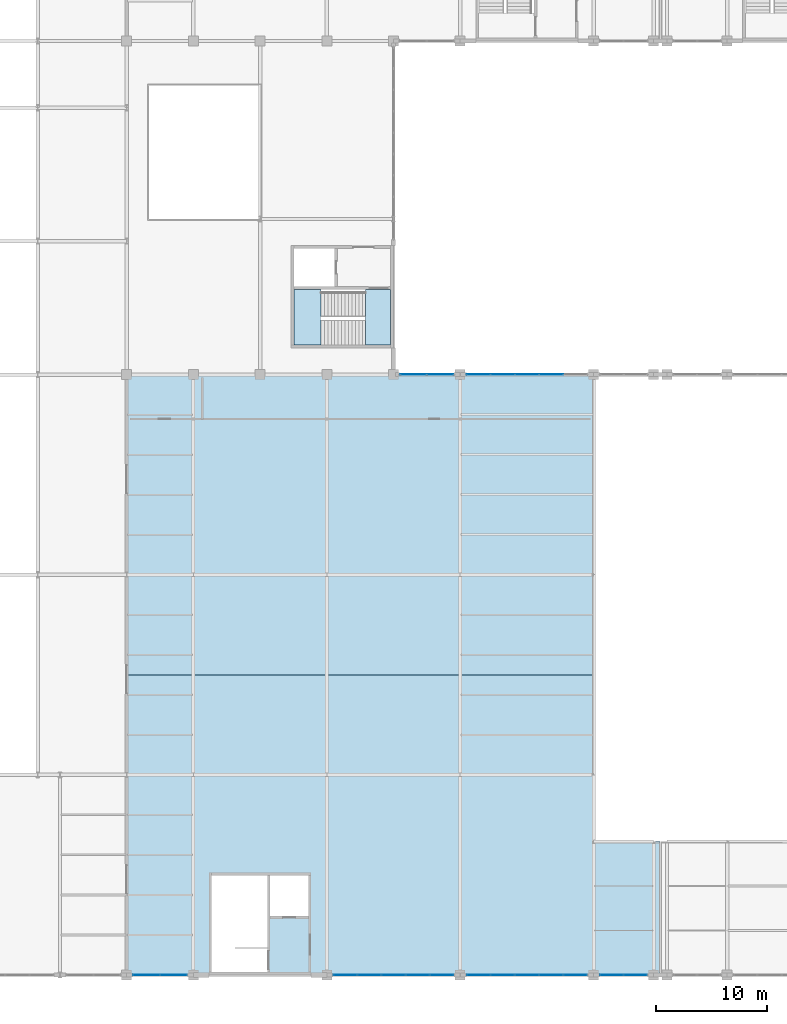
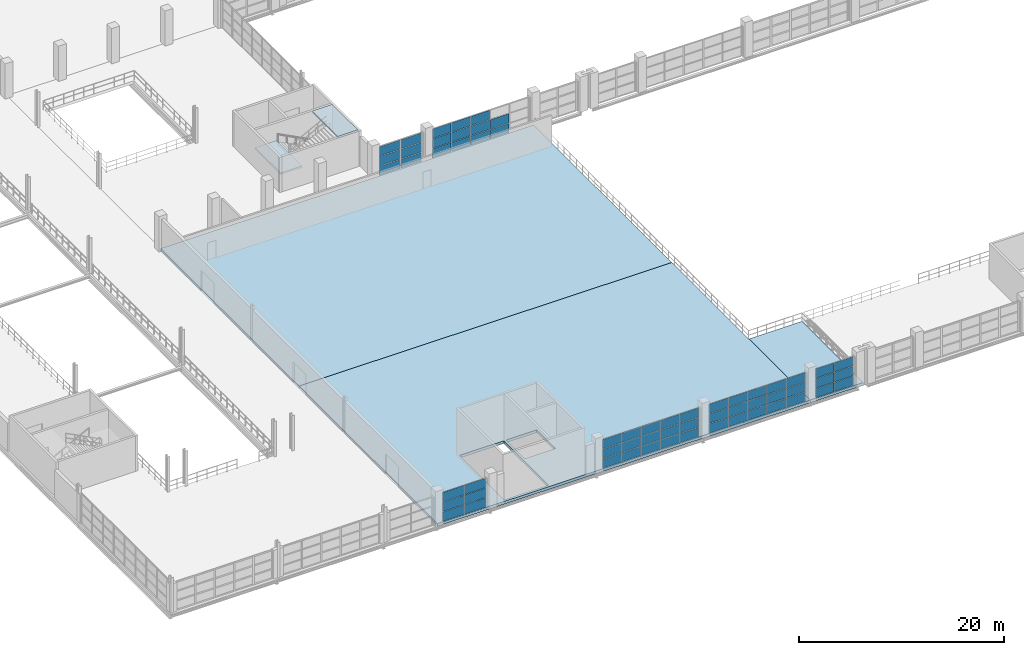
# One storey, part 127 of 158: 59 plates, 5 slabs, 7 elements without a shape of their own.
"""IFC4 building model written with IfcOpenShell, lengths in metres."""

from ifc_helpers import new_model, si_unit, direction, frame, origin, origin_2d, place, context, subcontext, project, spatial, polyline, rectangle, outline, extrude, material, layer, layer_set, type_object, element, aggregate, save


model = new_model("IFC4")

# Units and contexts
model_context = context("Model", 3, precision=1e-05, world=origin(), true_north=direction((0.0, 1.0)))
body_context = subcontext(model_context, "Body", "Model", "MODEL_VIEW")
ifc_project = project(units=[si_unit("LENGTHUNIT", "METRE"), si_unit("AREAUNIT", "SQUARE_METRE"), si_unit("VOLUMEUNIT", "CUBIC_METRE"), si_unit("PLANEANGLEUNIT", "RADIAN"), si_unit("MASSUNIT", "GRAM", prefix="KILO")], contexts=[model_context])

# Site, building, storey
site_placement = place(None, origin())
site = spatial("IfcSite", under=ifc_project, at=site_placement, CompositionType="ELEMENT")
building_placement = place(site_placement, origin())
building = spatial("IfcBuilding", under=site, at=building_placement, Name="Zilviju Railside Exhibition Hall", CompositionType="ELEMENT")
storey_placement = place(building_placement, frame((0.0, 0.0, 4.199951171875)))
storey = spatial("IfcBuildingStorey", under=building, at=storey_placement, Name="L02", CompositionType="ELEMENT", Elevation=4.199951171875)

# Curtain wall, plates
ifc_material_1 = material(Name="Thermally broken aluminium-steel triple-glazed curtain wall", Category="steel")
ifc_layer_1 = layer(ifc_material_1, 0.179931640625)
ifc_layer_set_1 = layer_set([ifc_layer_1], Name="Thermally broken aluminium-steel triple-glazed curtain wall")
curtain_wall_type_1 = type_object("IfcCurtainWallType", Name="CW-BAY-09", PredefinedType="USERDEFINED", material=ifc_layer_set_1)
curtain_wall_1_placement = place(storey_placement, origin())
curtain_wall_1 = element("IfcCurtainWall", 1, at=curtain_wall_1_placement, inside=storey, type_object=curtain_wall_type_1, Name="South Hall Facade Curtain Wall L02 (120..125)", ObjectType="GLAZED CURTAIN WALL", PredefinedType="USERDEFINED")
ifc_material_2 = material(Name="Laminated acoustic double-glazed porch unit", Category="glass")
ifc_layer_2 = layer(ifc_material_2, 0.031982421875)
ifc_layer_set_2 = layer_set([ifc_layer_2], Name="Laminated acoustic double-glazed porch unit")
plate_type_1 = type_object("IfcPlateType", Name="CWP-IGU-32", PredefinedType="CURTAIN_PANEL", material=ifc_layer_set_2)
plate_1_placement = place(storey_placement, frame((123.760009765625, 0.0, 0.06005859375), z_axis=(0.0, 0.0, 1.0), x_axis=(-1.0, 0.0, 0.0)))
plate_1 = element("IfcPlate", 2, at=plate_1_placement, type_object=plate_type_1, Name="CW-09 panel 1.1", PredefinedType="CURTAIN_PANEL", context=body_context, shape_type="SweptSolid", body=[
    extrude(rectangle(XDim=2.06005859375, YDim=0.031982421875, at=origin_2d()), origin(), (0.0, 0.0, 1.0), 1.096923828125),
])
plate_2_placement = place(storey_placement, frame((123.760009765625, 0.0, 1.217041015625), z_axis=(0.0, 0.0, 1.0), x_axis=(-1.0, 0.0, 0.0)))
plate_2 = element("IfcPlate", 3, at=plate_2_placement, type_object=plate_type_1, Name="CW-09 panel 1.2", PredefinedType="CURTAIN_PANEL", context=body_context, shape_type="SweptSolid", body=[
    extrude(rectangle(XDim=2.06005859375, YDim=0.031982421875, at=origin_2d()), origin(), (0.0, 0.0, 1.0), 1.1259765625),
])
plate_3_placement = place(storey_placement, frame((123.760009765625, 0.0, 2.4033203125), z_axis=(0.0, 0.0, 1.0), x_axis=(-1.0, 0.0, 0.0)))
plate_3 = element("IfcPlate", 4, at=plate_3_placement, type_object=plate_type_1, Name="CW-09 panel 1.3", PredefinedType="CURTAIN_PANEL", context=body_context, shape_type="SweptSolid", body=[
    extrude(rectangle(XDim=2.06005859375, YDim=0.031982421875, at=origin_2d()), origin(), (0.0, 0.0, 1.0), 1.096923828125),
])
plate_4_placement = place(storey_placement, frame((121.639892578125, 0.0, 0.06005859375), z_axis=(0.0, 0.0, 1.0), x_axis=(-1.0, 0.0, 0.0)))
plate_4 = element("IfcPlate", 5, at=plate_4_placement, type_object=plate_type_1, Name="CW-09 panel 2.1", PredefinedType="CURTAIN_PANEL", context=body_context, shape_type="SweptSolid", body=[
    extrude(rectangle(XDim=2.06005859375, YDim=0.031982421875, at=origin_2d()), origin(), (0.0, 0.0, 1.0), 1.096923828125),
])
plate_5_placement = place(storey_placement, frame((121.639892578125, 0.0, 1.217041015625), z_axis=(0.0, 0.0, 1.0), x_axis=(-1.0, 0.0, 0.0)))
plate_5 = element("IfcPlate", 6, at=plate_5_placement, type_object=plate_type_1, Name="CW-09 panel 2.2", PredefinedType="CURTAIN_PANEL", context=body_context, shape_type="SweptSolid", body=[
    extrude(rectangle(XDim=2.06005859375, YDim=0.031982421875, at=origin_2d()), origin(), (0.0, 0.0, 1.0), 1.1259765625),
])
plate_6_placement = place(storey_placement, frame((121.639892578125, 0.0, 2.4033203125), z_axis=(0.0, 0.0, 1.0), x_axis=(-1.0, 0.0, 0.0)))
plate_6 = element("IfcPlate", 7, at=plate_6_placement, type_object=plate_type_1, Name="CW-09 panel 2.3", PredefinedType="CURTAIN_PANEL", context=body_context, shape_type="SweptSolid", body=[
    extrude(rectangle(XDim=2.06005859375, YDim=0.031982421875, at=origin_2d()), origin(), (0.0, 0.0, 1.0), 1.096923828125),
])
aggregate(curtain_wall_1, [plate_1, plate_2, plate_3, plate_4, plate_5, plate_6])

ifc_layer_3 = layer(ifc_material_1, 0.179931640625)
ifc_layer_set_3 = layer_set([ifc_layer_3], Name="Thermally broken aluminium-steel triple-glazed curtain wall")
curtain_wall_type_2 = type_object("IfcCurtainWallType", Name="CW-BAY-08", PredefinedType="USERDEFINED", material=ifc_layer_set_3)
curtain_wall_2_placement = place(storey_placement, origin())
curtain_wall_2 = element("IfcCurtainWall", 8, at=curtain_wall_2_placement, inside=storey, type_object=curtain_wall_type_2, Name="South Hall Facade Curtain Wall L02 (108..120)", ObjectType="GLAZED CURTAIN WALL", PredefinedType="USERDEFINED")
ifc_material_3 = material(Name="Triple-glazed solar-control glass unit", Category="glass")
ifc_layer_4 = layer(ifc_material_3, 0.0380859375)
ifc_layer_set_4 = layer_set([ifc_layer_4], Name="Triple-glazed solar-control glass unit")
plate_type_2 = type_object("IfcPlateType", Name="CWP-IGU-38", PredefinedType="CURTAIN_PANEL", material=ifc_layer_set_4)
plate_7_placement = place(storey_placement, frame((118.34375, 0.0, 0.06494140625), z_axis=(0.0, 0.0, 1.0), x_axis=(-1.0, 0.0, 0.0)))
plate_7 = element("IfcPlate", 9, at=plate_7_placement, type_object=plate_type_2, Name="CW-08 panel 1.1", PredefinedType="CURTAIN_PANEL", context=body_context, shape_type="SweptSolid", body=[
    extrude(rectangle(XDim=2.08251953125, YDim=0.0380859375, at=origin_2d()), origin(), (0.0, 0.0, 1.0), 1.089599609375),
])
plate_8_placement = place(storey_placement, frame((118.34375, 0.0, 1.219482421875), z_axis=(0.0, 0.0, 1.0), x_axis=(-1.0, 0.0, 0.0)))
plate_8 = element("IfcPlate", 10, at=plate_8_placement, type_object=plate_type_2, Name="CW-08 panel 1.2", PredefinedType="CURTAIN_PANEL", context=body_context, shape_type="SweptSolid", body=[
    extrude(rectangle(XDim=2.08251953125, YDim=0.0380859375, at=origin_2d()), origin(), (0.0, 0.0, 1.0), 1.12109375),
])
plate_9_placement = place(storey_placement, frame((118.34375, 0.0, 2.4052734375), z_axis=(0.0, 0.0, 1.0), x_axis=(-1.0, 0.0, 0.0)))
plate_9 = element("IfcPlate", 11, at=plate_9_placement, type_object=plate_type_2, Name="CW-08 panel 1.3", PredefinedType="CURTAIN_PANEL", context=body_context, shape_type="SweptSolid", body=[
    extrude(rectangle(XDim=2.08251953125, YDim=0.0380859375, at=origin_2d()), origin(), (0.0, 0.0, 1.0), 1.089599609375),
])
plate_10_placement = place(storey_placement, frame((116.179931640625, 0.0, 0.06494140625), z_axis=(0.0, 0.0, 1.0), x_axis=(-1.0, 0.0, 0.0)))
plate_10 = element("IfcPlate", 12, at=plate_10_placement, type_object=plate_type_2, Name="CW-08 panel 2.1", PredefinedType="CURTAIN_PANEL", context=body_context, shape_type="SweptSolid", body=[
    extrude(rectangle(XDim=2.114990234375, YDim=0.0380859375, at=origin_2d()), origin(), (0.0, 0.0, 1.0), 1.089599609375),
])
plate_11_placement = place(storey_placement, frame((116.179931640625, 0.0, 1.219482421875), z_axis=(0.0, 0.0, 1.0), x_axis=(-1.0, 0.0, 0.0)))
plate_11 = element("IfcPlate", 13, at=plate_11_placement, type_object=plate_type_2, Name="CW-08 panel 2.2", PredefinedType="CURTAIN_PANEL", context=body_context, shape_type="SweptSolid", body=[
    extrude(rectangle(XDim=2.114990234375, YDim=0.0380859375, at=origin_2d()), origin(), (0.0, 0.0, 1.0), 1.12109375),
])
plate_12_placement = place(storey_placement, frame((116.179931640625, 0.0, 2.4052734375), z_axis=(0.0, 0.0, 1.0), x_axis=(-1.0, 0.0, 0.0)))
plate_12 = element("IfcPlate", 14, at=plate_12_placement, type_object=plate_type_2, Name="CW-08 panel 2.3", PredefinedType="CURTAIN_PANEL", context=body_context, shape_type="SweptSolid", body=[
    extrude(rectangle(XDim=2.114990234375, YDim=0.0380859375, at=origin_2d()), origin(), (0.0, 0.0, 1.0), 1.089599609375),
])
plate_13_placement = place(storey_placement, frame((114.0, 0.0, 0.06494140625), z_axis=(0.0, 0.0, 1.0), x_axis=(-1.0, 0.0, 0.0)))
plate_13 = element("IfcPlate", 15, at=plate_13_placement, type_object=plate_type_2, Name="CW-08 panel 3.1", PredefinedType="CURTAIN_PANEL", context=body_context, shape_type="SweptSolid", body=[
    extrude(rectangle(XDim=2.114990234375, YDim=0.0380859375, at=origin_2d()), origin(), (0.0, 0.0, 1.0), 1.089599609375),
])
plate_14_placement = place(storey_placement, frame((114.0, 0.0, 1.219482421875), z_axis=(0.0, 0.0, 1.0), x_axis=(-1.0, 0.0, 0.0)))
plate_14 = element("IfcPlate", 16, at=plate_14_placement, type_object=plate_type_2, Name="CW-08 panel 3.2", PredefinedType="CURTAIN_PANEL", context=body_context, shape_type="SweptSolid", body=[
    extrude(rectangle(XDim=2.114990234375, YDim=0.0380859375, at=origin_2d()), origin(), (0.0, 0.0, 1.0), 1.12109375),
])
plate_15_placement = place(storey_placement, frame((114.0, 0.0, 2.4052734375), z_axis=(0.0, 0.0, 1.0), x_axis=(-1.0, 0.0, 0.0)))
plate_15 = element("IfcPlate", 17, at=plate_15_placement, type_object=plate_type_2, Name="CW-08 panel 3.3", PredefinedType="CURTAIN_PANEL", context=body_context, shape_type="SweptSolid", body=[
    extrude(rectangle(XDim=2.114990234375, YDim=0.0380859375, at=origin_2d()), origin(), (0.0, 0.0, 1.0), 1.089599609375),
])
plate_16_placement = place(storey_placement, frame((111.820068359375, 0.0, 0.06494140625), z_axis=(0.0, 0.0, 1.0), x_axis=(-1.0, 0.0, 0.0)))
plate_16 = element("IfcPlate", 18, at=plate_16_placement, type_object=plate_type_2, Name="CW-08 panel 4.1", PredefinedType="CURTAIN_PANEL", context=body_context, shape_type="SweptSolid", body=[
    extrude(rectangle(XDim=2.114990234375, YDim=0.0380859375, at=origin_2d()), origin(), (0.0, 0.0, 1.0), 1.089599609375),
])
plate_17_placement = place(storey_placement, frame((111.820068359375, 0.0, 1.219482421875), z_axis=(0.0, 0.0, 1.0), x_axis=(-1.0, 0.0, 0.0)))
plate_17 = element("IfcPlate", 19, at=plate_17_placement, type_object=plate_type_2, Name="CW-08 panel 4.2", PredefinedType="CURTAIN_PANEL", context=body_context, shape_type="SweptSolid", body=[
    extrude(rectangle(XDim=2.114990234375, YDim=0.0380859375, at=origin_2d()), origin(), (0.0, 0.0, 1.0), 1.12109375),
])
plate_18_placement = place(storey_placement, frame((111.820068359375, 0.0, 2.4052734375), z_axis=(0.0, 0.0, 1.0), x_axis=(-1.0, 0.0, 0.0)))
plate_18 = element("IfcPlate", 20, at=plate_18_placement, type_object=plate_type_2, Name="CW-08 panel 4.3", PredefinedType="CURTAIN_PANEL", context=body_context, shape_type="SweptSolid", body=[
    extrude(rectangle(XDim=2.114990234375, YDim=0.0380859375, at=origin_2d()), origin(), (0.0, 0.0, 1.0), 1.089599609375),
])
plate_19_placement = place(storey_placement, frame((109.65625, 0.0, 0.06494140625), z_axis=(0.0, 0.0, 1.0), x_axis=(-1.0, 0.0, 0.0)))
plate_19 = element("IfcPlate", 21, at=plate_19_placement, type_object=plate_type_2, Name="CW-08 panel 5.1", PredefinedType="CURTAIN_PANEL", context=body_context, shape_type="SweptSolid", body=[
    extrude(rectangle(XDim=2.08251953125, YDim=0.0380859375, at=origin_2d()), origin(), (0.0, 0.0, 1.0), 1.089599609375),
])
plate_20_placement = place(storey_placement, frame((109.65625, 0.0, 1.219482421875), z_axis=(0.0, 0.0, 1.0), x_axis=(-1.0, 0.0, 0.0)))
plate_20 = element("IfcPlate", 22, at=plate_20_placement, type_object=plate_type_2, Name="CW-08 panel 5.2", PredefinedType="CURTAIN_PANEL", context=body_context, shape_type="SweptSolid", body=[
    extrude(rectangle(XDim=2.08251953125, YDim=0.0380859375, at=origin_2d()), origin(), (0.0, 0.0, 1.0), 1.12109375),
])
plate_21_placement = place(storey_placement, frame((109.65625, 0.0, 2.4052734375), z_axis=(0.0, 0.0, 1.0), x_axis=(-1.0, 0.0, 0.0)))
plate_21 = element("IfcPlate", 23, at=plate_21_placement, type_object=plate_type_2, Name="CW-08 panel 5.3", PredefinedType="CURTAIN_PANEL", context=body_context, shape_type="SweptSolid", body=[
    extrude(rectangle(XDim=2.08251953125, YDim=0.0380859375, at=origin_2d()), origin(), (0.0, 0.0, 1.0), 1.089599609375),
])
aggregate(curtain_wall_2, [plate_7, plate_8, plate_9, plate_10, plate_11, plate_12, plate_13, plate_14, plate_15, plate_16, plate_17, plate_18, plate_19, plate_20, plate_21])

ifc_layer_5 = layer(ifc_material_1, 0.179931640625)
ifc_layer_set_5 = layer_set([ifc_layer_5], Name="Thermally broken aluminium-steel triple-glazed curtain wall")
curtain_wall_type_3 = type_object("IfcCurtainWallType", Name="CW-BAY-06", PredefinedType="USERDEFINED", material=ifc_layer_set_5)
curtain_wall_3_placement = place(storey_placement, origin())
curtain_wall_3 = element("IfcCurtainWall", 24, at=curtain_wall_3_placement, inside=storey, type_object=curtain_wall_type_3, Name="South Hall Facade Curtain Wall L02 (78..84)", ObjectType="GLAZED CURTAIN WALL", PredefinedType="USERDEFINED")
ifc_material_4 = material(Name="Triple-glazed low-E argon insulating glass unit", Category="glass")
ifc_layer_6 = layer(ifc_material_4, 0.0439453125)
ifc_layer_set_6 = layer_set([ifc_layer_6], Name="Triple-glazed low-E argon insulating glass unit")
plate_type_3 = type_object("IfcPlateType", Name="CWP-IGU-44", PredefinedType="CURTAIN_PANEL", material=ifc_layer_set_6)
plate_22_placement = place(storey_placement, frame((82.211181640625, 0.0, 0.054931640625), z_axis=(0.0, 0.0, 1.0), x_axis=(-1.0, 0.0, 0.0)))
plate_22 = element("IfcPlate", 25, at=plate_22_placement, type_object=plate_type_3, Name="CW-06 panel 1.1", PredefinedType="CURTAIN_PANEL", context=body_context, shape_type="SweptSolid", body=[
    extrude(rectangle(XDim=2.367431640625, YDim=0.0439453125, at=origin_2d()), origin(), (0.0, 0.0, 1.0), 1.1044921875),
])
plate_23_placement = place(storey_placement, frame((82.211181640625, 0.0, 1.21435546875), z_axis=(0.0, 0.0, 1.0), x_axis=(-1.0, 0.0, 0.0)))
plate_23 = element("IfcPlate", 26, at=plate_23_placement, type_object=plate_type_3, Name="CW-06 panel 1.2", PredefinedType="CURTAIN_PANEL", context=body_context, shape_type="SweptSolid", body=[
    extrude(rectangle(XDim=2.367431640625, YDim=0.0439453125, at=origin_2d()), origin(), (0.0, 0.0, 1.0), 1.131103515625),
])
plate_24_placement = place(storey_placement, frame((82.211181640625, 0.0, 2.400634765625), z_axis=(0.0, 0.0, 1.0), x_axis=(-1.0, 0.0, 0.0)))
plate_24 = element("IfcPlate", 27, at=plate_24_placement, type_object=plate_type_3, Name="CW-06 panel 1.3", PredefinedType="CURTAIN_PANEL", context=body_context, shape_type="SweptSolid", body=[
    extrude(rectangle(XDim=2.367431640625, YDim=0.0439453125, at=origin_2d()), origin(), (0.0, 0.0, 1.0), 1.1044921875),
])
plate_25_placement = place(storey_placement, frame((79.788818359375, 0.0, 0.054931640625), z_axis=(0.0, 0.0, 1.0), x_axis=(-1.0, 0.0, 0.0)))
plate_25 = element("IfcPlate", 28, at=plate_25_placement, type_object=plate_type_3, Name="CW-06 panel 2.1", PredefinedType="CURTAIN_PANEL", context=body_context, shape_type="SweptSolid", body=[
    extrude(rectangle(XDim=2.367431640625, YDim=0.0439453125, at=origin_2d()), origin(), (0.0, 0.0, 1.0), 1.1044921875),
])
plate_26_placement = place(storey_placement, frame((79.788818359375, 0.0, 1.21435546875), z_axis=(0.0, 0.0, 1.0), x_axis=(-1.0, 0.0, 0.0)))
plate_26 = element("IfcPlate", 29, at=plate_26_placement, type_object=plate_type_3, Name="CW-06 panel 2.2", PredefinedType="CURTAIN_PANEL", context=body_context, shape_type="SweptSolid", body=[
    extrude(rectangle(XDim=2.367431640625, YDim=0.0439453125, at=origin_2d()), origin(), (0.0, 0.0, 1.0), 1.131103515625),
])
plate_27_placement = place(storey_placement, frame((79.788818359375, 0.0, 2.400634765625), z_axis=(0.0, 0.0, 1.0), x_axis=(-1.0, 0.0, 0.0)))
plate_27 = element("IfcPlate", 30, at=plate_27_placement, type_object=plate_type_3, Name="CW-06 panel 2.3", PredefinedType="CURTAIN_PANEL", context=body_context, shape_type="SweptSolid", body=[
    extrude(rectangle(XDim=2.367431640625, YDim=0.0439453125, at=origin_2d()), origin(), (0.0, 0.0, 1.0), 1.1044921875),
])
aggregate(curtain_wall_3, [plate_22, plate_23, plate_24, plate_25, plate_26, plate_27])

ifc_layer_7 = layer(ifc_material_1, 0.179931640625)
ifc_layer_set_7 = layer_set([ifc_layer_7], Name="Thermally broken aluminium-steel triple-glazed curtain wall")
curtain_wall_type_4 = type_object("IfcCurtainWallType", Name="CW-BAY-07", PredefinedType="USERDEFINED", material=ifc_layer_set_7)
curtain_wall_4_placement = place(storey_placement, origin())
curtain_wall_4 = element("IfcCurtainWall", 31, at=curtain_wall_4_placement, inside=storey, type_object=curtain_wall_type_4, Name="South Hall Facade Curtain Wall L02 (96..108)", ObjectType="GLAZED CURTAIN WALL", PredefinedType="USERDEFINED")
plate_28_placement = place(storey_placement, frame((106.342529296875, 0.0, 0.070068359375), z_axis=(0.0, 0.0, 1.0), x_axis=(-1.0, 0.0, 0.0)))
plate_28 = element("IfcPlate", 32, at=plate_28_placement, type_object=plate_type_3, Name="CW-07 panel 1.1", PredefinedType="CURTAIN_PANEL", context=body_context, shape_type="SweptSolid", body=[
    extrude(rectangle(XDim=2.074951171875, YDim=0.0439453125, at=origin_2d()), origin(), (0.0, 0.0, 1.0), 1.08203125),
])
plate_29_placement = place(storey_placement, frame((106.342529296875, 0.0, 1.22216796875), z_axis=(0.0, 0.0, 1.0), x_axis=(-1.0, 0.0, 0.0)))
plate_29 = element("IfcPlate", 33, at=plate_29_placement, type_object=plate_type_3, Name="CW-07 panel 1.2", PredefinedType="CURTAIN_PANEL", context=body_context, shape_type="SweptSolid", body=[
    extrude(rectangle(XDim=2.074951171875, YDim=0.0439453125, at=origin_2d()), origin(), (0.0, 0.0, 1.0), 1.115966796875),
])
plate_30_placement = place(storey_placement, frame((106.342529296875, 0.0, 2.407958984375), z_axis=(0.0, 0.0, 1.0), x_axis=(-1.0, 0.0, 0.0)))
plate_30 = element("IfcPlate", 34, at=plate_30_placement, type_object=plate_type_3, Name="CW-07 panel 1.3", PredefinedType="CURTAIN_PANEL", context=body_context, shape_type="SweptSolid", body=[
    extrude(rectangle(XDim=2.074951171875, YDim=0.0439453125, at=origin_2d()), origin(), (0.0, 0.0, 1.0), 1.08203125),
])
plate_31_placement = place(storey_placement, frame((104.179931640625, 0.0, 0.070068359375), z_axis=(0.0, 0.0, 1.0), x_axis=(-1.0, 0.0, 0.0)))
plate_31 = element("IfcPlate", 35, at=plate_31_placement, type_object=plate_type_3, Name="CW-07 panel 2.1", PredefinedType="CURTAIN_PANEL", context=body_context, shape_type="SweptSolid", body=[
    extrude(rectangle(XDim=2.110107421875, YDim=0.0439453125, at=origin_2d()), origin(), (0.0, 0.0, 1.0), 1.08203125),
])
plate_32_placement = place(storey_placement, frame((104.179931640625, 0.0, 1.22216796875), z_axis=(0.0, 0.0, 1.0), x_axis=(-1.0, 0.0, 0.0)))
plate_32 = element("IfcPlate", 36, at=plate_32_placement, type_object=plate_type_3, Name="CW-07 panel 2.2", PredefinedType="CURTAIN_PANEL", context=body_context, shape_type="SweptSolid", body=[
    extrude(rectangle(XDim=2.110107421875, YDim=0.0439453125, at=origin_2d()), origin(), (0.0, 0.0, 1.0), 1.115966796875),
])
plate_33_placement = place(storey_placement, frame((104.179931640625, 0.0, 2.407958984375), z_axis=(0.0, 0.0, 1.0), x_axis=(-1.0, 0.0, 0.0)))
plate_33 = element("IfcPlate", 37, at=plate_33_placement, type_object=plate_type_3, Name="CW-07 panel 2.3", PredefinedType="CURTAIN_PANEL", context=body_context, shape_type="SweptSolid", body=[
    extrude(rectangle(XDim=2.110107421875, YDim=0.0439453125, at=origin_2d()), origin(), (0.0, 0.0, 1.0), 1.08203125),
])
plate_34_placement = place(storey_placement, frame((102.0, 0.0, 0.070068359375), z_axis=(0.0, 0.0, 1.0), x_axis=(-1.0, 0.0, 0.0)))
plate_34 = element("IfcPlate", 38, at=plate_34_placement, type_object=plate_type_3, Name="CW-07 panel 3.1", PredefinedType="CURTAIN_PANEL", context=body_context, shape_type="SweptSolid", body=[
    extrude(rectangle(XDim=2.110107421875, YDim=0.0439453125, at=origin_2d()), origin(), (0.0, 0.0, 1.0), 1.08203125),
])
plate_35_placement = place(storey_placement, frame((102.0, 0.0, 1.22216796875), z_axis=(0.0, 0.0, 1.0), x_axis=(-1.0, 0.0, 0.0)))
plate_35 = element("IfcPlate", 39, at=plate_35_placement, type_object=plate_type_3, Name="CW-07 panel 3.2", PredefinedType="CURTAIN_PANEL", context=body_context, shape_type="SweptSolid", body=[
    extrude(rectangle(XDim=2.110107421875, YDim=0.0439453125, at=origin_2d()), origin(), (0.0, 0.0, 1.0), 1.115966796875),
])
plate_36_placement = place(storey_placement, frame((102.0, 0.0, 2.407958984375), z_axis=(0.0, 0.0, 1.0), x_axis=(-1.0, 0.0, 0.0)))
plate_36 = element("IfcPlate", 40, at=plate_36_placement, type_object=plate_type_3, Name="CW-07 panel 3.3", PredefinedType="CURTAIN_PANEL", context=body_context, shape_type="SweptSolid", body=[
    extrude(rectangle(XDim=2.110107421875, YDim=0.0439453125, at=origin_2d()), origin(), (0.0, 0.0, 1.0), 1.08203125),
])
plate_37_placement = place(storey_placement, frame((99.820068359375, 0.0, 0.070068359375), z_axis=(0.0, 0.0, 1.0), x_axis=(-1.0, 0.0, 0.0)))
plate_37 = element("IfcPlate", 41, at=plate_37_placement, type_object=plate_type_3, Name="CW-07 panel 4.1", PredefinedType="CURTAIN_PANEL", context=body_context, shape_type="SweptSolid", body=[
    extrude(rectangle(XDim=2.110107421875, YDim=0.0439453125, at=origin_2d()), origin(), (0.0, 0.0, 1.0), 1.08203125),
])
plate_38_placement = place(storey_placement, frame((99.820068359375, 0.0, 1.22216796875), z_axis=(0.0, 0.0, 1.0), x_axis=(-1.0, 0.0, 0.0)))
plate_38 = element("IfcPlate", 42, at=plate_38_placement, type_object=plate_type_3, Name="CW-07 panel 4.2", PredefinedType="CURTAIN_PANEL", context=body_context, shape_type="SweptSolid", body=[
    extrude(rectangle(XDim=2.110107421875, YDim=0.0439453125, at=origin_2d()), origin(), (0.0, 0.0, 1.0), 1.115966796875),
])
plate_39_placement = place(storey_placement, frame((99.820068359375, 0.0, 2.407958984375), z_axis=(0.0, 0.0, 1.0), x_axis=(-1.0, 0.0, 0.0)))
plate_39 = element("IfcPlate", 43, at=plate_39_placement, type_object=plate_type_3, Name="CW-07 panel 4.3", PredefinedType="CURTAIN_PANEL", context=body_context, shape_type="SweptSolid", body=[
    extrude(rectangle(XDim=2.110107421875, YDim=0.0439453125, at=origin_2d()), origin(), (0.0, 0.0, 1.0), 1.08203125),
])
plate_40_placement = place(storey_placement, frame((97.657470703125, 0.0, 0.070068359375), z_axis=(0.0, 0.0, 1.0), x_axis=(-1.0, 0.0, 0.0)))
plate_40 = element("IfcPlate", 44, at=plate_40_placement, type_object=plate_type_3, Name="CW-07 panel 5.1", PredefinedType="CURTAIN_PANEL", context=body_context, shape_type="SweptSolid", body=[
    extrude(rectangle(XDim=2.074951171875, YDim=0.0439453125, at=origin_2d()), origin(), (0.0, 0.0, 1.0), 1.08203125),
])
plate_41_placement = place(storey_placement, frame((97.657470703125, 0.0, 1.22216796875), z_axis=(0.0, 0.0, 1.0), x_axis=(-1.0, 0.0, 0.0)))
plate_41 = element("IfcPlate", 45, at=plate_41_placement, type_object=plate_type_3, Name="CW-07 panel 5.2", PredefinedType="CURTAIN_PANEL", context=body_context, shape_type="SweptSolid", body=[
    extrude(rectangle(XDim=2.074951171875, YDim=0.0439453125, at=origin_2d()), origin(), (0.0, 0.0, 1.0), 1.115966796875),
])
plate_42_placement = place(storey_placement, frame((97.657470703125, 0.0, 2.407958984375), z_axis=(0.0, 0.0, 1.0), x_axis=(-1.0, 0.0, 0.0)))
plate_42 = element("IfcPlate", 46, at=plate_42_placement, type_object=plate_type_3, Name="CW-07 panel 5.3", PredefinedType="CURTAIN_PANEL", context=body_context, shape_type="SweptSolid", body=[
    extrude(rectangle(XDim=2.074951171875, YDim=0.0439453125, at=origin_2d()), origin(), (0.0, 0.0, 1.0), 1.08203125),
])
aggregate(curtain_wall_4, [plate_28, plate_29, plate_30, plate_31, plate_32, plate_33, plate_34, plate_35, plate_36, plate_37, plate_38, plate_39, plate_40, plate_41, plate_42])

ifc_layer_8 = layer(ifc_material_1, 0.179931640625)
ifc_layer_set_8 = layer_set([ifc_layer_8], Name="Thermally broken aluminium-steel triple-glazed curtain wall")
curtain_wall_type_5 = type_object("IfcCurtainWallType", Name="CW-BAY-18", PredefinedType="USERDEFINED", material=ifc_layer_set_8)
curtain_wall_5_placement = place(storey_placement, origin())
curtain_wall_5 = element("IfcCurtainWall", 47, at=curtain_wall_5_placement, inside=storey, type_object=curtain_wall_type_5, Name="South Hall Garden Court Curtain Wall L02 (108..120)", ObjectType="GLAZED CURTAIN WALL", PredefinedType="USERDEFINED")
plate_43_placement = place(storey_placement, frame((109.65380859375, 54.0, 0.054931640625), z_axis=(0.0, 0.0, 1.0), x_axis=(1.0, 0.0, 0.0)))
plate_43 = element("IfcPlate", 48, at=plate_43_placement, type_object=plate_type_3, Name="CW-18 panel 1.1", PredefinedType="CURTAIN_PANEL", context=body_context, shape_type="SweptSolid", body=[
    extrude(rectangle(XDim=2.097412109375, YDim=0.0439453125, at=origin_2d()), origin(), (0.0, 0.0, 1.0), 1.1044921875),
])
plate_44_placement = place(storey_placement, frame((109.65380859375, 54.0, 1.21435546875), z_axis=(0.0, 0.0, 1.0), x_axis=(1.0, 0.0, 0.0)))
plate_44 = element("IfcPlate", 49, at=plate_44_placement, type_object=plate_type_3, Name="CW-18 panel 1.2", PredefinedType="CURTAIN_PANEL", context=body_context, shape_type="SweptSolid", body=[
    extrude(rectangle(XDim=2.097412109375, YDim=0.0439453125, at=origin_2d()), origin(), (0.0, 0.0, 1.0), 1.131103515625),
])
plate_45_placement = place(storey_placement, frame((109.65380859375, 54.0, 2.400634765625), z_axis=(0.0, 0.0, 1.0), x_axis=(1.0, 0.0, 0.0)))
plate_45 = element("IfcPlate", 50, at=plate_45_placement, type_object=plate_type_3, Name="CW-18 panel 1.3", PredefinedType="CURTAIN_PANEL", context=body_context, shape_type="SweptSolid", body=[
    extrude(rectangle(XDim=2.097412109375, YDim=0.0439453125, at=origin_2d()), origin(), (0.0, 0.0, 1.0), 1.1044921875),
])
plate_46_placement = place(storey_placement, frame((111.820068359375, 54.0, 0.054931640625), z_axis=(0.0, 0.0, 1.0), x_axis=(1.0, 0.0, 0.0)))
plate_46 = element("IfcPlate", 51, at=plate_46_placement, type_object=plate_type_3, Name="CW-18 panel 2.1", PredefinedType="CURTAIN_PANEL", context=body_context, shape_type="SweptSolid", body=[
    extrude(rectangle(XDim=2.125, YDim=0.0439453125, at=origin_2d()), origin(), (0.0, 0.0, 1.0), 1.1044921875),
])
plate_47_placement = place(storey_placement, frame((111.820068359375, 54.0, 1.21435546875), z_axis=(0.0, 0.0, 1.0), x_axis=(1.0, 0.0, 0.0)))
plate_47 = element("IfcPlate", 52, at=plate_47_placement, type_object=plate_type_3, Name="CW-18 panel 2.2", PredefinedType="CURTAIN_PANEL", context=body_context, shape_type="SweptSolid", body=[
    extrude(rectangle(XDim=2.125, YDim=0.0439453125, at=origin_2d()), origin(), (0.0, 0.0, 1.0), 1.131103515625),
])
plate_48_placement = place(storey_placement, frame((111.820068359375, 54.0, 2.400634765625), z_axis=(0.0, 0.0, 1.0), x_axis=(1.0, 0.0, 0.0)))
plate_48 = element("IfcPlate", 53, at=plate_48_placement, type_object=plate_type_3, Name="CW-18 panel 2.3", PredefinedType="CURTAIN_PANEL", context=body_context, shape_type="SweptSolid", body=[
    extrude(rectangle(XDim=2.125, YDim=0.0439453125, at=origin_2d()), origin(), (0.0, 0.0, 1.0), 1.1044921875),
])
plate_49_placement = place(storey_placement, frame((114.0, 54.0, 0.054931640625), z_axis=(0.0, 0.0, 1.0), x_axis=(1.0, 0.0, 0.0)))
plate_49 = element("IfcPlate", 54, at=plate_49_placement, type_object=plate_type_3, Name="CW-18 panel 3.1", PredefinedType="CURTAIN_PANEL", context=body_context, shape_type="SweptSolid", body=[
    extrude(rectangle(XDim=2.125, YDim=0.0439453125, at=origin_2d()), origin(), (0.0, 0.0, 1.0), 1.1044921875),
])
plate_50_placement = place(storey_placement, frame((114.0, 54.0, 1.21435546875), z_axis=(0.0, 0.0, 1.0), x_axis=(1.0, 0.0, 0.0)))
plate_50 = element("IfcPlate", 55, at=plate_50_placement, type_object=plate_type_3, Name="CW-18 panel 3.2", PredefinedType="CURTAIN_PANEL", context=body_context, shape_type="SweptSolid", body=[
    extrude(rectangle(XDim=2.125, YDim=0.0439453125, at=origin_2d()), origin(), (0.0, 0.0, 1.0), 1.131103515625),
])
plate_51_placement = place(storey_placement, frame((114.0, 54.0, 2.400634765625), z_axis=(0.0, 0.0, 1.0), x_axis=(1.0, 0.0, 0.0)))
plate_51 = element("IfcPlate", 56, at=plate_51_placement, type_object=plate_type_3, Name="CW-18 panel 3.3", PredefinedType="CURTAIN_PANEL", context=body_context, shape_type="SweptSolid", body=[
    extrude(rectangle(XDim=2.125, YDim=0.0439453125, at=origin_2d()), origin(), (0.0, 0.0, 1.0), 1.1044921875),
])
plate_52_placement = place(storey_placement, frame((116.179931640625, 54.0, 0.054931640625), z_axis=(0.0, 0.0, 1.0), x_axis=(1.0, 0.0, 0.0)))
plate_52 = element("IfcPlate", 57, at=plate_52_placement, type_object=plate_type_3, Name="CW-18 panel 4.1", PredefinedType="CURTAIN_PANEL", context=body_context, shape_type="SweptSolid", body=[
    extrude(rectangle(XDim=2.125, YDim=0.0439453125, at=origin_2d()), origin(), (0.0, 0.0, 1.0), 1.1044921875),
])
plate_53_placement = place(storey_placement, frame((116.179931640625, 54.0, 1.21435546875), z_axis=(0.0, 0.0, 1.0), x_axis=(1.0, 0.0, 0.0)))
plate_53 = element("IfcPlate", 58, at=plate_53_placement, type_object=plate_type_3, Name="CW-18 panel 4.2", PredefinedType="CURTAIN_PANEL", context=body_context, shape_type="SweptSolid", body=[
    extrude(rectangle(XDim=2.125, YDim=0.0439453125, at=origin_2d()), origin(), (0.0, 0.0, 1.0), 1.131103515625),
])
aggregate(curtain_wall_5, [plate_43, plate_44, plate_45, plate_46, plate_47, plate_48, plate_49, plate_50, plate_51, plate_52, plate_53])

ifc_layer_9 = layer(ifc_material_1, 0.179931640625)
ifc_layer_set_9 = layer_set([ifc_layer_9], Name="Thermally broken aluminium-steel triple-glazed curtain wall")
curtain_wall_type_6 = type_object("IfcCurtainWallType", Name="CW-BAY-17", PredefinedType="USERDEFINED", material=ifc_layer_set_9)
curtain_wall_6_placement = place(storey_placement, origin())
curtain_wall_6 = element("IfcCurtainWall", 59, at=curtain_wall_6_placement, inside=storey, type_object=curtain_wall_type_6, Name="South Hall Garden Court Curtain Wall L02 (102..108)", ObjectType="GLAZED CURTAIN WALL", PredefinedType="USERDEFINED")
ifc_material_5 = material(Name="Insulated emerald ceramic-frit spandrel panel", Category="glass")
ifc_layer_10 = layer(ifc_material_5, 0.06396484375)
ifc_layer_set_10 = layer_set([ifc_layer_10], Name="Insulated emerald ceramic-frit spandrel panel")
plate_type_4 = type_object("IfcPlateType", Name="CWP-SPD-64", PredefinedType="CURTAIN_PANEL", material=ifc_layer_set_10)
plate_54_placement = place(storey_placement, frame((103.793701171875, 54.0, 0.0751953125), z_axis=(0.0, 0.0, 1.0), x_axis=(1.0, 0.0, 0.0)))
plate_54 = element("IfcPlate", 60, at=plate_54_placement, type_object=plate_type_4, Name="CW-17 panel 1.1", PredefinedType="CURTAIN_PANEL", context=body_context, shape_type="SweptSolid", body=[
    extrude(rectangle(XDim=2.33740234375, YDim=0.06396484375, at=origin_2d()), origin(), (0.0, 0.0, 1.0), 1.074462890625),
])
plate_55_placement = place(storey_placement, frame((103.793701171875, 54.0, 1.224609375), z_axis=(0.0, 0.0, 1.0), x_axis=(1.0, 0.0, 0.0)))
plate_55 = element("IfcPlate", 61, at=plate_55_placement, type_object=plate_type_4, Name="CW-17 panel 1.2", PredefinedType="CURTAIN_PANEL", context=body_context, shape_type="SweptSolid", body=[
    extrude(rectangle(XDim=2.33740234375, YDim=0.06396484375, at=origin_2d()), origin(), (0.0, 0.0, 1.0), 1.111083984375),
])
plate_56_placement = place(storey_placement, frame((103.793701171875, 54.0, 2.41064453125), z_axis=(0.0, 0.0, 1.0), x_axis=(1.0, 0.0, 0.0)))
plate_56 = element("IfcPlate", 62, at=plate_56_placement, type_object=plate_type_4, Name="CW-17 panel 1.3", PredefinedType="CURTAIN_PANEL", context=body_context, shape_type="SweptSolid", body=[
    extrude(rectangle(XDim=2.33740234375, YDim=0.06396484375, at=origin_2d()), origin(), (0.0, 0.0, 1.0), 1.074462890625),
])
plate_57_placement = place(storey_placement, frame((106.206298828125, 54.0, 0.0751953125), z_axis=(0.0, 0.0, 1.0), x_axis=(1.0, 0.0, 0.0)))
plate_57 = element("IfcPlate", 63, at=plate_57_placement, type_object=plate_type_4, Name="CW-17 panel 2.1", PredefinedType="CURTAIN_PANEL", context=body_context, shape_type="SweptSolid", body=[
    extrude(rectangle(XDim=2.33740234375, YDim=0.06396484375, at=origin_2d()), origin(), (0.0, 0.0, 1.0), 1.074462890625),
])
plate_58_placement = place(storey_placement, frame((106.206298828125, 54.0, 1.224609375), z_axis=(0.0, 0.0, 1.0), x_axis=(1.0, 0.0, 0.0)))
plate_58 = element("IfcPlate", 64, at=plate_58_placement, type_object=plate_type_4, Name="CW-17 panel 2.2", PredefinedType="CURTAIN_PANEL", context=body_context, shape_type="SweptSolid", body=[
    extrude(rectangle(XDim=2.33740234375, YDim=0.06396484375, at=origin_2d()), origin(), (0.0, 0.0, 1.0), 1.111083984375),
])
plate_59_placement = place(storey_placement, frame((106.206298828125, 54.0, 2.41064453125), z_axis=(0.0, 0.0, 1.0), x_axis=(1.0, 0.0, 0.0)))
plate_59 = element("IfcPlate", 65, at=plate_59_placement, type_object=plate_type_4, Name="CW-17 panel 2.3", PredefinedType="CURTAIN_PANEL", context=body_context, shape_type="SweptSolid", body=[
    extrude(rectangle(XDim=2.33740234375, YDim=0.06396484375, at=origin_2d()), origin(), (0.0, 0.0, 1.0), 1.074462890625),
])
aggregate(curtain_wall_6, [plate_54, plate_55, plate_56, plate_57, plate_58, plate_59])

# Slabs
ifc_material_6 = material(Name="Concrete C35/45", Category="concrete")
ifc_layer_11 = layer(ifc_material_6, 0.330078125)
ifc_layer_set_11 = layer_set([ifc_layer_11], Name="Concrete C35/45")
slab_type_1 = type_object("IfcSlabType", Name="SL-FLR-330", PredefinedType="FLOOR", material=ifc_layer_set_11)
slab_1_placement = place(storey_placement, frame((0.0, 0.0, -0.329833984375)))
element("IfcSlab", 66, at=slab_1_placement, inside=storey, type_object=slab_type_1, Name="South Hall L02 West Gallery South", PredefinedType="FLOOR", context=body_context, shape_type="SweptSolid", body=[
    extrude(outline(polyline([(78.0, 0.0), (120.0, 0.0), (120.0, 27.0), (78.0, 27.0), (78.0, 0.0)]), holes=[polyline([(85.64990234375, 0.25), (90.64990234375, 0.25), (90.64990234375, 8.949951171875), (85.64990234375, 8.949951171875), (85.64990234375, 0.25)]), polyline([(90.89990234375, 5.300048828125), (94.35009765625, 5.300048828125), (94.35009765625, 8.949951171875), (90.89990234375, 8.949951171875), (90.89990234375, 5.300048828125)])]), origin(), (0.0, 0.0, 1.0), 0.329833984375),
])
slab_2_placement = place(storey_placement, frame((0.0, 0.0, -0.329833984375)))
element("IfcSlab", 67, at=slab_2_placement, inside=storey, type_object=slab_type_1, Name="South Hall L02 West Gallery North", PredefinedType="FLOOR", context=body_context, shape_type="SweptSolid", body=[
    extrude(outline(polyline([(78.0, 27.0), (120.0, 27.0), (120.0, 54.0), (78.0, 54.0), (78.0, 27.0)])), origin(), (0.0, 0.0, 1.0), 0.329833984375),
])
slab_3_placement = place(storey_placement, frame((0.0, 0.0, -0.329833984375)))
element("IfcSlab", 68, at=slab_3_placement, inside=storey, type_object=slab_type_1, Name="South Hall L02 South Walkway West", PredefinedType="FLOOR", context=body_context, shape_type="SweptSolid", body=[
    extrude(outline(polyline([(120.0, 0.0), (125.969970703125, 0.0), (125.969970703125, 12.0), (120.0, 12.0), (120.0, 0.0)])), origin(), (0.0, 0.0, 1.0), 0.329833984375),
])

# Stair, slabs
stair_type = type_object("IfcStairType", Name="STAIR-ST-A", PredefinedType="HALF_TURN_STAIR", material=ifc_material_6)
stair_placement = place(storey_placement, origin())
stair = element("IfcStair", 69, at=stair_placement, inside=storey, type_object=stair_type, Name="Core C10 Winter Concourse Court Exit Stair L02", PredefinedType="HALF_TURN_STAIR")
ifc_layer_12 = layer(ifc_material_6, 0.199951171875)
ifc_layer_set_12 = layer_set([ifc_layer_12], Name="Concrete C35/45")
slab_type_2 = type_object("IfcSlabType", Name="SL-LAND-200", PredefinedType="LANDING", material=ifc_layer_set_12)
slab_4_placement = place(storey_placement, frame((0.0, 0.0, 1.900146484375)))
slab_4 = element("IfcSlab", 70, at=slab_4_placement, type_object=slab_type_2, Name="ST-10 landing 1", PredefinedType="LANDING", context=body_context, shape_type="SweptSolid", body=[
    extrude(outline(polyline([(95.469970703125, 56.64990234375), (95.469970703125, 61.64990234375), (93.050048828125, 61.64990234375), (93.050048828125, 56.64990234375), (95.469970703125, 56.64990234375)])), origin(), (0.0, 0.0, 1.0), 0.199951171875),
])
slab_5_placement = place(storey_placement, frame((0.0, 0.0, 4.0)))
slab_5 = element("IfcSlab", 71, at=slab_5_placement, type_object=slab_type_2, Name="ST-10 landing 2", PredefinedType="LANDING", context=body_context, shape_type="SweptSolid", body=[
    extrude(outline(polyline([(101.75, 56.64990234375), (101.75, 61.64990234375), (99.5, 61.64990234375), (99.5, 56.64990234375), (101.75, 56.64990234375)])), origin(), (0.0, 0.0, 1.0), 0.199951171875),
])
aggregate(stair, [slab_4, slab_5])

save(model, "model.ifc")
